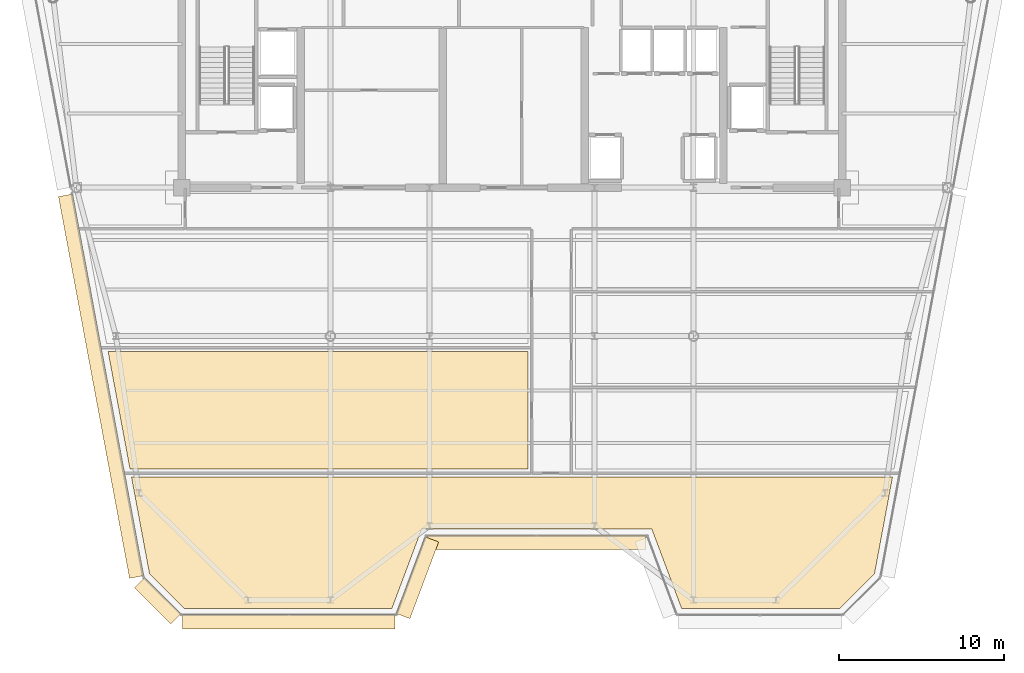
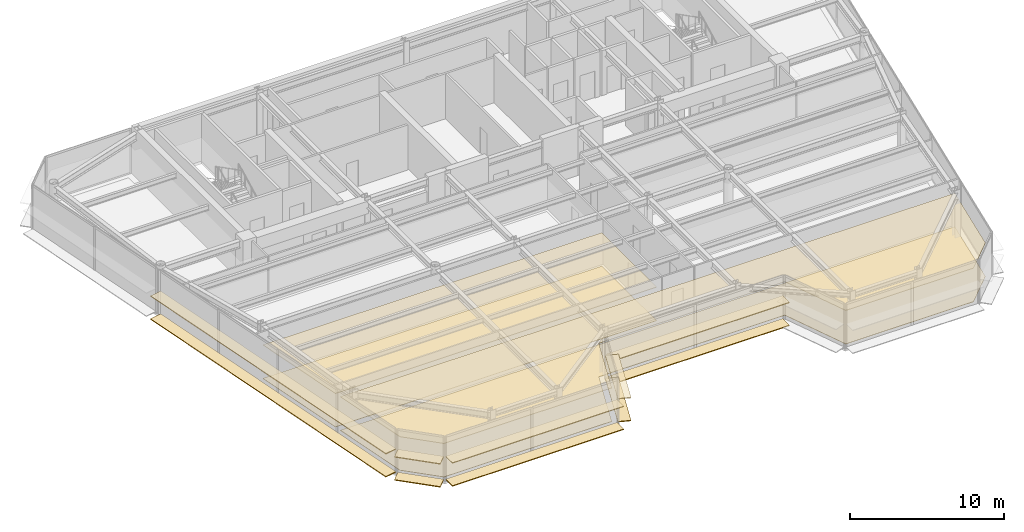
# One storey, part 12 of 18: 14 coverings.
"""IFC4 building model written with IfcOpenShell, lengths in metres."""

import ifcopenshell
import ifcopenshell.guid

model = None  # the IFC model being written
_history = None  # IfcOwnerHistory: only IFC2X3 demands one
_inside = {}  # id of a spatial element -> (the spatial element, [elements in it])
_under = {}  # id of a project, library or spatial element -> (it, [spatial elements below it])
_declared = {}  # id of a project -> (the project, [libraries it declares])
_typed = {}  # id of a type object -> (the type object, [elements of that type])
_made_of = {}  # id of a material, layer set ... -> (it, [elements and type objects made of it])


def new_model(schema):
    """Start an empty IFC model of exactly this schema.

    Asked for "IFC4X3", IfcOpenShell would pick the latest addendum, in which some entities
    have other attributes; the version numbers below select the first issue.
    IFC2X3 requires an IfcOwnerHistory on every rooted entity: one is made here for all.
    """
    global model, _history
    if schema == "IFC4X3":
        model = ifcopenshell.file(schema_version=(4, 3, 0, 0))
    else:
        model = ifcopenshell.file(schema=schema)
    _inside.clear()
    _under.clear()
    _declared.clear()
    _typed.clear()
    _made_of.clear()
    _history = None
    if model.schema == "IFC2X3":
        org = make("IfcOrganization", Name="unknown")
        user = make(
            "IfcPersonAndOrganization",
            ThePerson=make("IfcPerson", FamilyName="unknown"),
            TheOrganization=org,
        )
        app = make(
            "IfcApplication",
            ApplicationDeveloper=org,
            Version="unknown",
            ApplicationFullName="unknown",
            ApplicationIdentifier="unknown",
        )
        _history = make(
            "IfcOwnerHistory",
            OwningUser=user,
            OwningApplication=app,
            ChangeAction="ADDED",
            CreationDate=0,
        )
    return model


def make(cls, **values):
    """One entity of the class cls with the attributes given. An attribute that is None is left unset."""
    return model.create_entity(
        cls, **{name: value for name, value in values.items() if value is not None}
    )


def rooted(cls, **values):
    """An entity with a GlobalId (a new one), such as an element, a storey or a relation."""
    return make(cls, GlobalId=ifcopenshell.guid.new(), OwnerHistory=_history, **values)


def si_unit(unit_type, name, prefix=None):
    """IfcSIUnit, for example si_unit("LENGTHUNIT", "METRE", prefix="MILLI")."""
    return make("IfcSIUnit", UnitType=unit_type, Prefix=prefix, Name=name)


def assignment(units):
    """IfcUnitAssignment: the units of a project."""
    return None if units is None else make("IfcUnitAssignment", Units=units)


def point(xyz):
    """IfcCartesianPoint."""
    return None if xyz is None else make("IfcCartesianPoint", Coordinates=xyz)


def direction(xyz):
    """IfcDirection."""
    return None if xyz is None else make("IfcDirection", DirectionRatios=xyz)


def frame(location, z_axis=None, x_axis=None):
    """IfcAxis2Placement3D, a coordinate frame: its origin and axes. An axis left out is left unset."""
    return make(
        "IfcAxis2Placement3D",
        Location=point(location),
        Axis=direction(z_axis),
        RefDirection=direction(x_axis),
    )


def frame_2d(location, x_axis=None):
    """IfcAxis2Placement2D, a coordinate frame in the plane: its origin and x axis."""
    return make(
        "IfcAxis2Placement2D", Location=point(location), RefDirection=direction(x_axis)
    )


def origin():
    """The frame at (0, 0, 0) with its axes left unset."""
    return frame((0.0, 0.0, 0.0))


def origin_2d():
    """The frame at (0, 0) in the plane with its x axis left unset."""
    return frame_2d((0.0, 0.0))


def place(relative_to, where):
    """IfcLocalPlacement: puts the frame where relative to a parent placement (None: the world)."""
    return make(
        "IfcLocalPlacement", PlacementRelTo=relative_to, RelativePlacement=where
    )


def context(
    kind, dimensions, precision=None, world=None, true_north=None, identifier=None
):
    """IfcGeometricRepresentationContext, for example the 3D "Model" context."""
    return make(
        "IfcGeometricRepresentationContext",
        ContextIdentifier=identifier,
        ContextType=kind,
        CoordinateSpaceDimension=dimensions,
        Precision=precision,
        WorldCoordinateSystem=world,
        TrueNorth=true_north,
    )


def subcontext(parent, identifier, kind, view, scale=None):
    """IfcGeometricRepresentationSubContext, for example "Body" below "Model"."""
    return make(
        "IfcGeometricRepresentationSubContext",
        ContextIdentifier=identifier,
        ContextType=kind,
        ParentContext=parent,
        TargetScale=scale,
        TargetView=view,
    )


def project(units=None, contexts=None):
    """IfcProject with its units and contexts."""
    return rooted(
        "IfcProject",
        Name="project",
        RepresentationContexts=contexts,
        UnitsInContext=assignment(units),
    )


def spatial(cls, under=None, at=None, **own):
    """A site, building, storey or space (cls), placed at a placement, below another one or the project."""
    s = rooted(cls, ObjectPlacement=at, **own)
    if under is not None:
        _under.setdefault(under.id(), (under, []))[1].append(s)
    return s


def polyline(points):
    """IfcPolyline through the points."""
    return make("IfcPolyline", Points=[point(p) for p in points])


def profile(cls, at=None, kind="AREA", **sizes):
    """A parametric profile (cls). Its sizes go by their IFC names, for example OverallWidth=200.0."""
    return make(cls, ProfileType=kind, Position=at, **sizes)


def rectangle(**sizes):
    """IfcRectangleProfileDef."""
    return profile("IfcRectangleProfileDef", **sizes)


def outline(outer, holes=None, kind="AREA"):
    """IfcArbitraryClosedProfileDef: a profile drawn as a closed curve; with holes, ...WithVoids."""
    if holes is None:
        return make("IfcArbitraryClosedProfileDef", ProfileType=kind, OuterCurve=outer)
    return make(
        "IfcArbitraryProfileDefWithVoids",
        ProfileType=kind,
        OuterCurve=outer,
        InnerCurves=holes,
    )


def extrude(swept, where, along, depth):
    """IfcExtrudedAreaSolid: the profile swept, set in the frame where, extruded along a direction by depth."""
    return make(
        "IfcExtrudedAreaSolid",
        SweptArea=swept,
        Position=where,
        ExtrudedDirection=direction(along),
        Depth=depth,
    )


def shape(context_of_items, identifier, shape_type, items):
    """IfcShapeRepresentation: the items that make up one representation, for example the "Body"."""
    return make(
        "IfcShapeRepresentation",
        ContextOfItems=context_of_items,
        RepresentationIdentifier=identifier,
        RepresentationType=shape_type,
        Items=items,
    )


def source(mapping_origin, context_of_items, identifier, shape_type, items):
    """IfcRepresentationMap: a shape defined once, which mapped items show again and again."""
    return make(
        "IfcRepresentationMap",
        MappingOrigin=mapping_origin,
        MappedRepresentation=shape(context_of_items, identifier, shape_type, items),
    )


def transform(
    local_origin,
    x_axis=None,
    y_axis=None,
    z_axis=None,
    scale=None,
    scale2=None,
    scale3=None,
    uniform=True,
):
    """IfcCartesianTransformationOperator3D, or its non-uniform kind. x_axis, y_axis, z_axis: its Axis1, 2, 3."""
    if uniform:
        return make(
            "IfcCartesianTransformationOperator3D",
            Axis1=direction(x_axis),
            Axis2=direction(y_axis),
            LocalOrigin=point(local_origin),
            Scale=scale,
            Axis3=direction(z_axis),
        )
    return make(
        "IfcCartesianTransformationOperator3DnonUniform",
        Axis1=direction(x_axis),
        Axis2=direction(y_axis),
        LocalOrigin=point(local_origin),
        Scale=scale,
        Axis3=direction(z_axis),
        Scale2=scale2,
        Scale3=scale3,
    )


def mapped(mapping_source, mapping_target):
    """IfcMappedItem: shows the shape of a source again, moved by a transform."""
    return make(
        "IfcMappedItem", MappingSource=mapping_source, MappingTarget=mapping_target
    )


def material(Name=None, Category=None):
    """IfcMaterial."""
    return make("IfcMaterial", Name=Name, Category=Category)


def layer(
    of_material, thickness, ventilated=None, Name=None, Category=None, Priority=None
):
    """IfcMaterialLayer: one layer of a wall or slab, of a material (None: an air gap)."""
    return make(
        "IfcMaterialLayer",
        Material=of_material,
        LayerThickness=thickness,
        IsVentilated=ventilated,
        Name=Name,
        Category=Category,
        Priority=Priority,
    )


def layer_set(layers, Name=None):
    """IfcMaterialLayerSet."""
    return make("IfcMaterialLayerSet", MaterialLayers=layers, LayerSetName=Name)


def made_of(thing, what):
    """Note that an element or type object is made of a material, layer set ...; save() writes the relation."""
    if what is not None:
        _made_of.setdefault(what.id(), (what, []))[1].append(thing)
    return thing


def type_object(cls, material=None, **own):
    """A type object (cls), such as IfcWallType, which elements share."""
    return made_of(rooted(cls, **own), material)


def element(
    cls,
    number,
    at=None,
    inside=None,
    cuts=None,
    type_object=None,
    material=None,
    context=None,
    identifier="Body",
    shape_type=None,
    held_by="IfcProductDefinitionShape",
    body=None,
    shapes=None,
    **own,
):
    """One element of the class cls, such as IfcWall. Its Tag is "e" and its number.

    at: its placement. inside: the storey or other place that contains it. cuts: it is an
    opening in that element (IfcRelVoidsElement). A single representation is given by context,
    identifier, shape_type and body (its items); several are given by shapes. held_by: the class
    of the entity that holds the representations. save() writes the other relations.
    """
    e = rooted(cls, Tag="e%d" % number, ObjectPlacement=at, **own)
    if body is not None:
        shapes = [shape(context, identifier, shape_type, body)]
    if shapes is not None:
        e.Representation = make(held_by, Representations=shapes)
    if inside is not None:
        _inside.setdefault(inside.id(), (inside, []))[1].append(e)
    if cuts is not None:
        rooted(
            "IfcRelVoidsElement", RelatingBuildingElement=cuts, RelatedOpeningElement=e
        )
    if type_object is not None:
        _typed.setdefault(type_object.id(), (type_object, []))[1].append(e)
    return made_of(e, material)


def aggregate(whole, parts):
    """IfcRelAggregates: a whole, such as a stair, and the parts it consists of."""
    return rooted("IfcRelAggregates", RelatingObject=whole, RelatedObjects=parts)


def save(model, path):
    """Write the relations noted so far, then the file.

    IfcRelAggregates (storeys below a building ...), IfcRelContainedInSpatialStructure (elements
    in a storey), IfcRelDefinesByType, IfcRelAssociatesMaterial and IfcRelDeclares: one each for
    every whole, place, type object, material and project.
    """
    for whole, parts in _under.values():
        aggregate(whole, parts)
    for where, things in _inside.values():
        rooted(
            "IfcRelContainedInSpatialStructure",
            RelatedElements=things,
            RelatingStructure=where,
        )
    for kind, things in _typed.values():
        rooted("IfcRelDefinesByType", RelatedObjects=things, RelatingType=kind)
    for what, things in _made_of.values():
        rooted("IfcRelAssociatesMaterial", RelatedObjects=things, RelatingMaterial=what)
    for by, libraries in _declared.values():
        rooted("IfcRelDeclares", RelatingContext=by, RelatedDefinitions=libraries)
    model.write(path)


model = new_model("IFC4")

# Units and contexts
model_context = context("Model", 3, precision=1e-05, world=origin(), true_north=direction((0.0, 1.0)))
body_context = subcontext(model_context, "Body", "Model", "MODEL_VIEW")
ifc_project = project(units=[si_unit("LENGTHUNIT", "METRE"), si_unit("AREAUNIT", "SQUARE_METRE"), si_unit("VOLUMEUNIT", "CUBIC_METRE"), si_unit("PLANEANGLEUNIT", "RADIAN"), si_unit("MASSUNIT", "GRAM", prefix="KILO")], contexts=[model_context])

# Site, building, storey
site_placement = place(None, origin())
site = spatial("IfcSite", under=ifc_project, at=site_placement, CompositionType="ELEMENT")
building_placement = place(site_placement, origin())
building = spatial("IfcBuilding", under=site, at=building_placement, Name="Vaeldorn Concourse Tower", CompositionType="ELEMENT")
storey_placement = place(building_placement, frame((0.0, 0.0, 246.0)))
storey = spatial("IfcBuildingStorey", under=building, at=storey_placement, Name="L63", CompositionType="ELEMENT", Elevation=246.0)

# Coverings
ifc_material_1 = material(Name="Acoustic Mineral Fibre Board", Category="gypsum")
ifc_layer_1 = layer(ifc_material_1, 0.0400390625)
ifc_layer_set_1 = layer_set([ifc_layer_1], Name="Acoustic Mineral Fibre Board")
covering_type_1 = type_object("IfcCoveringType", Name="COV-CEIL-ACOUSTIC", PredefinedType="CEILING", material=ifc_layer_set_1)
covering_1_placement = place(storey_placement, frame((0.0, 0.0, 2.64990234375)))
element("IfcCovering", 1, at=covering_1_placement, inside=storey, type_object=covering_type_1, Name="Suspended Acoustic Ceiling L63-5", PredefinedType="CEILING", context=body_context, shape_type="SweptSolid", body=[
    extrude(outline(polyline([(34.9599609375, 26.56005859375), (34.9599609375, 19.43994140625), (10.85498046875, 19.43994140625), (9.529296875, 26.56005859375), (34.9599609375, 26.56005859375)])), origin(), (0.0, 0.0, 1.0), 0.0400390625),
])
covering_2_placement = place(storey_placement, frame((0.0, 0.0, 2.64990234375)))
element("IfcCovering", 2, at=covering_2_placement, inside=storey, type_object=covering_type_1, Name="Suspended Acoustic Ceiling L63-10", PredefinedType="CEILING", context=body_context, shape_type="SweptSolid", body=[
    extrude(outline(polyline([(57.055419921875, 18.9599609375), (56.936767578125, 18.322021484375), (56.72265625, 17.17236328125), (56.455078125, 15.735595703125), (56.455078125, 15.735595703125), (55.96337890625, 13.09521484375), (53.868408203125, 11.0), (44.277099609375, 11.0), (42.477294921875, 15.800048828125), (28.522705078125, 15.800048828125), (26.722900390625, 11.0), (14.131591796875, 11.0), (12.03662109375, 13.09521484375), (11.683349609375, 14.991455078125), (11.27734375, 17.17236328125), (11.24609375, 17.340087890625), (11.24609375, 17.340087890625), (10.944580078125, 18.9599609375), (57.055419921875, 18.9599609375)])), origin(), (0.0, 0.0, 1.0), 0.0400390625),
])
ifc_material_2 = material(Name="Honed Limestone Terrazzo Flooring", Category="masonry")
ifc_layer_2 = layer(ifc_material_2, 0.0400390625)
ifc_layer_set_2 = layer_set([ifc_layer_2], Name="Honed Limestone Terrazzo Flooring")
covering_type_2 = type_object("IfcCoveringType", Name="COV-FLOOR-STONE", PredefinedType="FLOORING", material=ifc_layer_set_2)
covering_3_placement = place(storey_placement, origin())
element("IfcCovering", 3, at=covering_3_placement, inside=storey, type_object=covering_type_2, Name="Floor Finish Covering L63-5", PredefinedType="FLOORING", context=body_context, shape_type="SweptSolid", body=[
    extrude(outline(polyline([(34.9599609375, 26.56005859375), (34.9599609375, 19.43994140625), (10.85498046875, 19.43994140625), (9.529296875, 26.56005859375), (34.9599609375, 26.56005859375)])), origin(), (0.0, 0.0, 1.0), 0.030029296875),
])
covering_4_placement = place(storey_placement, origin())
element("IfcCovering", 4, at=covering_4_placement, inside=storey, type_object=covering_type_2, Name="Floor Finish Covering L63-10", PredefinedType="FLOORING", context=body_context, shape_type="SweptSolid", body=[
    extrude(outline(polyline([(57.055419921875, 18.9599609375), (56.936767578125, 18.322021484375), (56.72265625, 17.17236328125), (56.455078125, 15.735595703125), (56.455078125, 15.735595703125), (55.96337890625, 13.09521484375), (53.868408203125, 11.0), (44.277099609375, 11.0), (42.477294921875, 15.800048828125), (28.522705078125, 15.800048828125), (26.722900390625, 11.0), (14.131591796875, 11.0), (12.03662109375, 13.09521484375), (11.683349609375, 14.991455078125), (11.27734375, 17.17236328125), (11.24609375, 17.340087890625), (11.24609375, 17.340087890625), (10.944580078125, 18.9599609375), (57.055419921875, 18.9599609375)])), origin(), (0.0, 0.0, 1.0), 0.030029296875),
])
ifc_material_3 = material(Name="Anodised Bronze Aluminium", Category="aluminium")
ifc_layer_3 = layer(ifc_material_3, 0.06494140625)
ifc_layer_set_3 = layer_set([ifc_layer_3], Name="Anodised Bronze Aluminium")
covering_type_3 = type_object("IfcCoveringType", Name="SD-BRONZE-SUNSHADE", PredefinedType="USERDEFINED", material=ifc_layer_set_3)
shared_shape_1 = source(origin(), body_context, "Body", "SweptSolid", [
    extrude(rectangle(XDim=4.96630859375, YDim=0.8798828125, at=origin_2d()), origin(), (0.0, 0.0, 1.0), 0.06494140625),
])
for number, where, z_axis, x_axis, name in (
    (5, (28.2744140625, 12.859619140625, 0.047607421875), (0.0, 0.0, 1.0), (0.351122702609, 0.936329454686, 0.0), "Horizontal Bronze Sunshade L63-E02.1.1"),
    (6, (28.2744140625, 12.859619140625, 1.867431640625), (0.0, 0.0, 1.0), (0.351122702609, 0.936329454686, 0.0), "Horizontal Bronze Sunshade L63-E02.1.2"),
):
    element("IfcCovering", number, at=place(storey_placement, frame(where, z_axis=z_axis, x_axis=x_axis)), inside=storey, type_object=covering_type_3, Name=name, ObjectType="SUNSHADE", PredefinedType="USERDEFINED", context=body_context, shape_type="MappedRepresentation", body=[
        mapped(shared_shape_1, transform((0.0, 0.0, 0.0), scale=1.0)),
    ])
shared_shape_2 = source(origin(), body_context, "Body", "SweptSolid", [
    extrude(rectangle(XDim=13.239990234375, YDim=0.8798828125, at=origin_2d()), origin(), (0.0, 0.0, 1.0), 0.06494140625),
])
for number, where, z_axis, x_axis, name in (
    (7, (35.5, 15.0, 0.047607421875), (0.0, 0.0, 1.0), (1.0, 0.0, 0.0), "Horizontal Bronze Sunshade L63-E03.1.1"),
    (8, (35.5, 15.0, 1.867431640625), (0.0, 0.0, 1.0), (1.0, 0.0, 0.0), "Horizontal Bronze Sunshade L63-E03.1.2"),
):
    element("IfcCovering", number, at=place(storey_placement, frame(where, z_axis=z_axis, x_axis=x_axis)), inside=storey, type_object=covering_type_3, Name=name, ObjectType="SUNSHADE", PredefinedType="USERDEFINED", context=body_context, shape_type="MappedRepresentation", body=[
        mapped(shared_shape_2, transform((0.0, 0.0, 0.0), scale=1.0)),
    ])
shared_shape_3 = source(origin(), body_context, "Body", "SweptSolid", [
    extrude(rectangle(XDim=3.0927734375, YDim=0.8798828125, at=origin_2d()), origin(), (0.0, 0.0, 1.0), 0.06494140625),
])
for number, where, z_axis, x_axis, name in (
    (9, (12.533203125, 11.46728515625, 0.047607421875), (0.0, 0.0, 1.0), (0.707106781187, -0.707106781187, 0.0), "Horizontal Bronze Sunshade L63-E12.1.1"),
    (10, (12.533203125, 11.46728515625, 1.867431640625), (0.0, 0.0, 1.0), (0.707106781187, -0.707106781187, 0.0), "Horizontal Bronze Sunshade L63-E12.1.2"),
):
    element("IfcCovering", number, at=place(storey_placement, frame(where, z_axis=z_axis, x_axis=x_axis)), inside=storey, type_object=covering_type_3, Name=name, ObjectType="SUNSHADE", PredefinedType="USERDEFINED", context=body_context, shape_type="MappedRepresentation", body=[
        mapped(shared_shape_3, transform((0.0, 0.0, 0.0), scale=1.0)),
    ])
shared_shape_4 = source(origin(), body_context, "Body", "SweptSolid", [
    extrude(rectangle(XDim=23.525146484375, YDim=0.8798828125, at=origin_2d()), origin(), (0.0, 0.0, 1.0), 0.06494140625),
])
for number, where, z_axis, x_axis, name in (
    (11, (9.10498046875, 24.46923828125, 0.047607421875), (0.0, 0.0, 1.0), (0.183059191151, -0.983101893262, 0.0), "Horizontal Bronze Sunshade L63-E11.2.1"),
    (12, (9.10498046875, 24.46923828125, 1.867431640625), (0.0, 0.0, 1.0), (0.183059191151, -0.983101893262, 0.0), "Horizontal Bronze Sunshade L63-E11.2.2"),
):
    element("IfcCovering", number, at=place(storey_placement, frame(where, z_axis=z_axis, x_axis=x_axis)), inside=storey, type_object=covering_type_3, Name=name, ObjectType="SUNSHADE", PredefinedType="USERDEFINED", context=body_context, shape_type="MappedRepresentation", body=[
        mapped(shared_shape_4, transform((0.0, 0.0, 0.0), scale=1.0)),
    ])
shared_shape_5 = source(origin(), body_context, "Body", "SweptSolid", [
    extrude(rectangle(XDim=12.8740234375, YDim=0.8798828125, at=origin_2d()), origin(), (0.0, 0.0, 1.0), 0.06494140625),
])
for number, where, z_axis, x_axis, name in (
    (13, (20.48291015625, 10.199951171875, 0.047607421875), (0.0, 0.0, 1.0), (1.0, 0.0, 0.0), "Horizontal Bronze Sunshade L63-E01.1.1"),
    (14, (20.48291015625, 10.199951171875, 1.867431640625), (0.0, 0.0, 1.0), (1.0, 0.0, 0.0), "Horizontal Bronze Sunshade L63-E01.1.2"),
):
    element("IfcCovering", number, at=place(storey_placement, frame(where, z_axis=z_axis, x_axis=x_axis)), inside=storey, type_object=covering_type_3, Name=name, ObjectType="SUNSHADE", PredefinedType="USERDEFINED", context=body_context, shape_type="MappedRepresentation", body=[
        mapped(shared_shape_5, transform((0.0, 0.0, 0.0), scale=1.0)),
    ])

save(model, "model.ifc")
